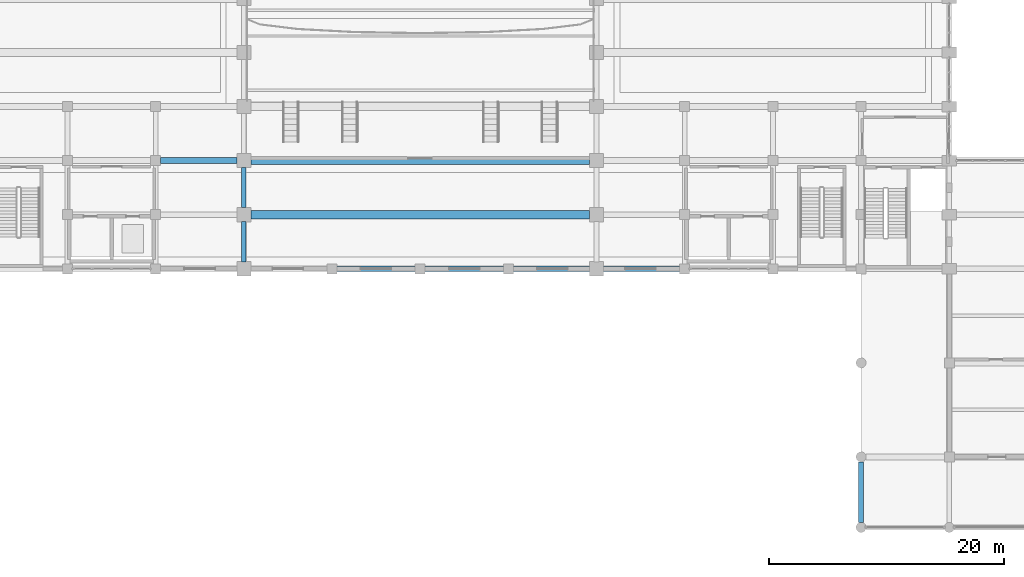
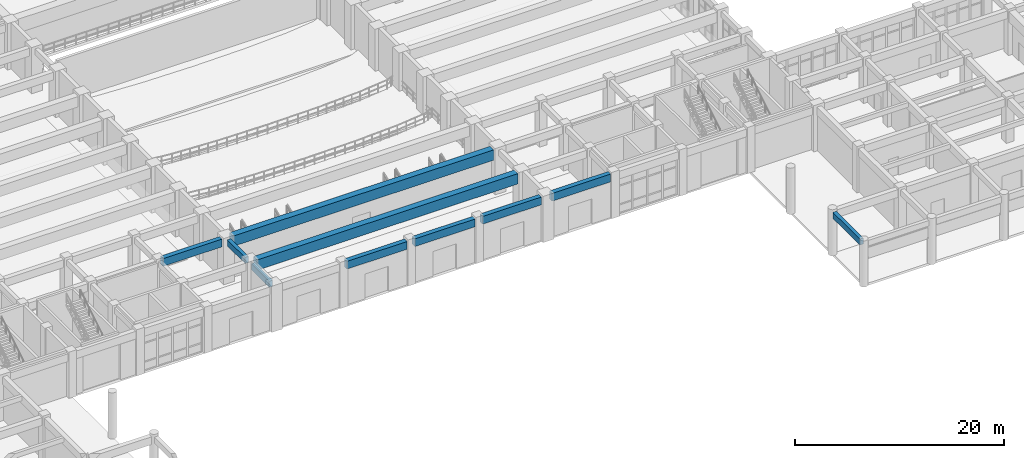
# One storey, part 27 of 84: 10 beams.
"""IFC4 building model written with IfcOpenShell, lengths in metres."""

from ifc_helpers import new_model, si_unit, direction, frame, origin, origin_2d, place, context, subcontext, project, spatial, rectangle, extrude, material, material_profile, profile_set, type_object, element, save


model = new_model("IFC4")

# Units and contexts
model_context = context("Model", 3, precision=1e-05, world=origin(), true_north=direction((0.0, 1.0)))
body_context = subcontext(model_context, "Body", "Model", "MODEL_VIEW")
ifc_project = project(units=[si_unit("LENGTHUNIT", "METRE"), si_unit("AREAUNIT", "SQUARE_METRE"), si_unit("VOLUMEUNIT", "CUBIC_METRE"), si_unit("PLANEANGLEUNIT", "RADIAN"), si_unit("MASSUNIT", "GRAM", prefix="KILO")], contexts=[model_context])

# Site, building, storey
site_placement = place(None, origin())
site = spatial("IfcSite", under=ifc_project, at=site_placement, CompositionType="ELEMENT")
building_placement = place(site_placement, origin())
building = spatial("IfcBuilding", under=site, at=building_placement, Name="Muzn Square Opera House", CompositionType="ELEMENT")
storey_placement = place(building_placement, origin())
storey = spatial("IfcBuildingStorey", under=building, at=storey_placement, Name="L00", CompositionType="ELEMENT", Elevation=0.0)

# Beams
ifc_material = material(Name="Concrete C40/50", Category="concrete")
ifc_material_profile_1 = material_profile(ifc_material, rectangle(XDim=0.39990234375, YDim=0.699951171875, at=origin_2d()), Name="RCB 400x700", Category="concrete")
ifc_profile_set_1 = profile_set([ifc_material_profile_1], Name="Concrete C40/50")
beam_type_1 = type_object("IfcBeamType", Name="Primary Girder 400x700", PredefinedType="BEAM", material=ifc_profile_set_1)
for number, where, z_axis, x_axis, name in (
    (1, (73.0, 22.592041015625, 4.77001953125), (0.0, 1.0, 0.0), (-1.0, 0.0, 0.0), "Primary Girder BM-L00-BM-PG700-730_226_730_260-1058"),
    (2, (73.0, 27.19189453125, 4.77001953125), (0.0, 1.0, 0.0), (-1.0, 0.0, 0.0), "Primary Girder BM-L00-BM-PG700-730_272_730_306-1059"),
):
    element("IfcBeam", number, at=place(storey_placement, frame(where, z_axis=z_axis, x_axis=x_axis)), inside=storey, type_object=beam_type_1, Name=name, PredefinedType="BEAM", context=body_context, shape_type="SweptSolid", body=[
        extrude(rectangle(XDim=0.39990234375, YDim=0.699951171875, at=origin_2d()), origin(), (0.0, 0.0, 1.0), 3.416015625),
    ])
beam_placement = place(storey_placement, frame((125.5, 0.4169921875, 4.77001953125), z_axis=(0.0, 1.0, 0.0), x_axis=(-1.0, 0.0, 0.0)))
element("IfcBeam", 3, at=beam_placement, inside=storey, type_object=beam_type_1, Name="Primary Girder BM-L00-BM-PG700-1255_4_1255_56-1094", PredefinedType="BEAM", context=body_context, shape_type="SweptSolid", body=[
    extrude(rectangle(XDim=0.39990234375, YDim=0.699951171875, at=origin_2d()), origin(), (0.0, 0.0, 1.0), 5.166015625),
])
ifc_material_profile_2 = material_profile(ifc_material, rectangle(XDim=0.5, YDim=0.89990234375, at=origin_2d()), Name="RCB 500x900", Category="concrete")
ifc_profile_set_2 = profile_set([ifc_material_profile_2], Name="Concrete C40/50")
beam_type_2 = type_object("IfcBeamType", Name="Primary Girder 500x900", PredefinedType="BEAM", material=ifc_profile_set_2)
for number, where, z_axis, x_axis, name in (
    (4, (80.9169921875, 22.0, 4.669921875), (1.0, 0.0, 0.0), (0.0, 1.0, 0.0), "Primary Girder BM-L00-BM-PG900-809_220_876_220-764"),
    (5, (88.4169921875, 22.0, 4.669921875), (1.0, 0.0, 0.0), (0.0, 1.0, 0.0), "Primary Girder BM-L00-BM-PG900-884_220_951_220-765"),
):
    element("IfcBeam", number, at=place(storey_placement, frame(where, z_axis=z_axis, x_axis=x_axis)), inside=storey, type_object=beam_type_2, Name=name, PredefinedType="BEAM", context=body_context, shape_type="SweptSolid", body=[
        extrude(rectangle(XDim=0.5, YDim=0.89990234375, at=origin_2d()), origin(), (0.0, 0.0, 1.0), 6.666015625),
    ])
for number, where, z_axis, x_axis, name in (
    (6, (95.9169921875, 22.0, 4.669921875), (1.0, 0.0, 0.0), (0.0, 1.0, 0.0), "Primary Girder BM-L00-BM-PG900-959_220_1024_220-766"),
    (7, (103.592041015625, 22.0, 4.669921875), (1.0, 0.0, 0.0), (0.0, 1.0, 0.0), "Primary Girder BM-L00-BM-PG900-1036_220_1101_220-767"),
    (8, (65.9169921875, 31.199951171875, 4.669921875), (1.0, 0.0, 0.0), (0.0, 1.0, 0.0), "Primary Girder BM-L00-BM-PG900-659_312_724_312-797"),
):
    element("IfcBeam", number, at=place(storey_placement, frame(where, z_axis=z_axis, x_axis=x_axis)), inside=storey, type_object=beam_type_2, Name=name, PredefinedType="BEAM", context=body_context, shape_type="SweptSolid", body=[
        extrude(rectangle(XDim=0.5, YDim=0.89990234375, at=origin_2d()), origin(), (0.0, 0.0, 1.0), 6.490966796875),
    ])
ifc_material_profile_3 = material_profile(ifc_material, rectangle(XDim=0.699951171875, YDim=1.199951171875, at=origin_2d()), Name="RCB 700x1200", Category="concrete")
ifc_profile_set_3 = profile_set([ifc_material_profile_3], Name="Concrete C40/50")
beam_type_3 = type_object("IfcBeamType", Name="Primary Girder 700x1200", PredefinedType="BEAM", material=ifc_profile_set_3)
for number, where, z_axis, x_axis, name in (
    (9, (73.592041015625, 26.60009765625, 4.52001953125), (1.0, 0.0, 0.0), (0.0, 1.0, 0.0), "Primary Girder BM-L00-BM-PG1200-736_266_1024_266-781"),
    (10, (73.592041015625, 31.199951171875, 4.52001953125), (1.0, 0.0, 0.0), (0.0, 1.0, 0.0), "Primary Girder BM-L00-BM-PG1200-736_312_1024_312-798"),
):
    element("IfcBeam", number, at=place(storey_placement, frame(where, z_axis=z_axis, x_axis=x_axis)), inside=storey, type_object=beam_type_3, Name=name, PredefinedType="BEAM", context=body_context, shape_type="SweptSolid", body=[
        extrude(rectangle(XDim=0.699951171875, YDim=1.199951171875, at=origin_2d()), origin(), (0.0, 0.0, 1.0), 28.81591796875),
    ])

save(model, "model.ifc")
